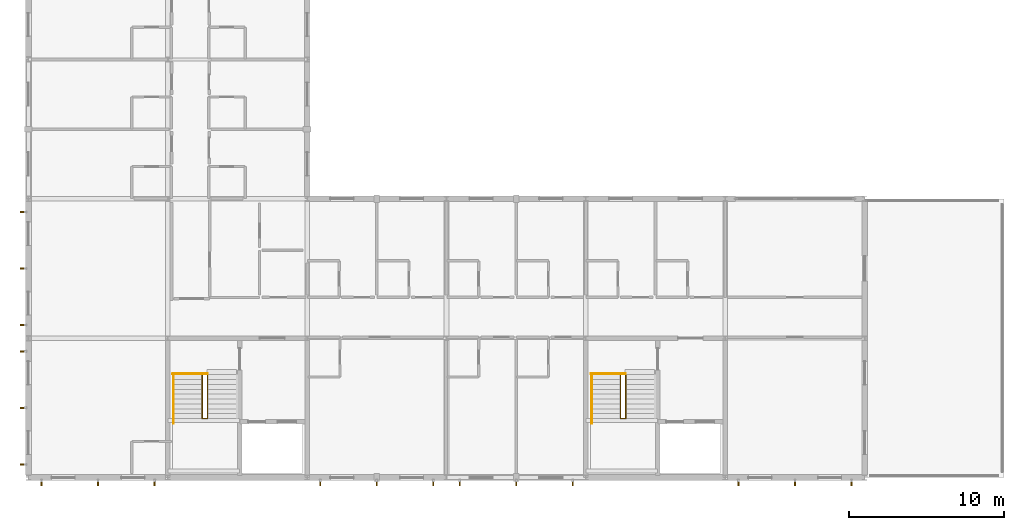
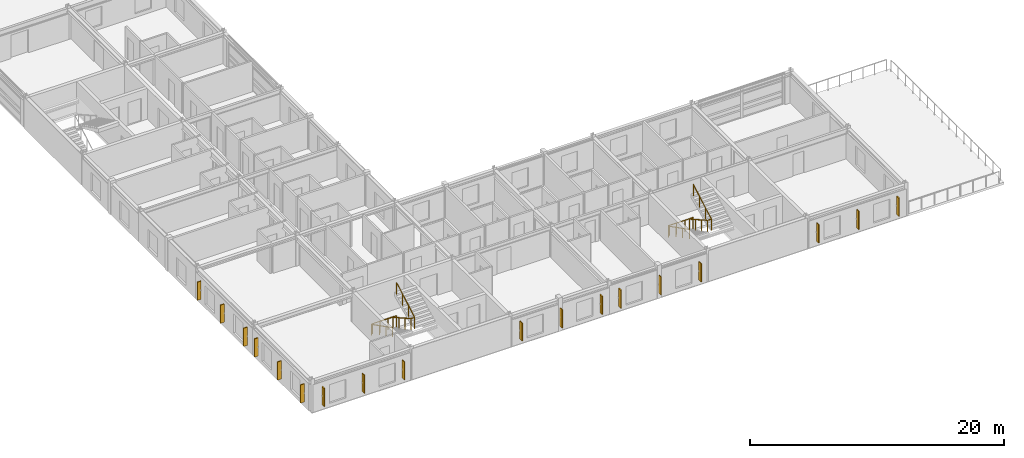
# One storey, part 17 of 18: 18 shading devices, 6 railings.
"""IFC4 building model written with IfcOpenShell, lengths in metres."""

from ifc_helpers import new_model, si_unit, direction, frame, origin, origin_2d, place, context, subcontext, project, spatial, rectangle, circle, extrude, material, type_object, element, save


model = new_model("IFC4")

# Units and contexts
model_context = context("Model", 3, precision=1e-05, world=origin(), true_north=direction((0.0, 1.0)))
body_context = subcontext(model_context, "Body", "Model", "MODEL_VIEW")
ifc_project = project(units=[si_unit("LENGTHUNIT", "METRE"), si_unit("AREAUNIT", "SQUARE_METRE"), si_unit("VOLUMEUNIT", "CUBIC_METRE"), si_unit("PLANEANGLEUNIT", "RADIAN"), si_unit("MASSUNIT", "GRAM", prefix="KILO")], contexts=[model_context])

# Site, building, storey
site_placement = place(None, origin())
site = spatial("IfcSite", under=ifc_project, at=site_placement, CompositionType="ELEMENT")
building_placement = place(site_placement, origin())
building = spatial("IfcBuilding", under=site, at=building_placement, Name="Palais des Congres Ocreval", CompositionType="ELEMENT")
storey_placement = place(building_placement, frame((0.0, 0.0, 23.679931640625)))
storey = spatial("IfcBuildingStorey", under=building, at=storey_placement, Name="L07", CompositionType="ELEMENT", Elevation=23.679931640625)

# Railings
ifc_material_1 = material(Name="Anodized bronze aluminium", Category="aluminium")
railing_type_1 = type_object("IfcRailingType", Name="Bronze Stair and Ramp Handrail 900", PredefinedType="HANDRAIL", material=ifc_material_1)
for number, where, name in (
    (1, (9.3798828125, 6.64990234375, 0.16015625), "Stair Wall Handrail ST01 L07"),
    (2, (36.3798828125, 6.64990234375, 0.16015625), "Stair Wall Handrail ST02 L07"),
):
    element("IfcRailing", number, at=place(storey_placement, frame(where)), inside=storey, type_object=railing_type_1, Name=name, PredefinedType="HANDRAIL", context=body_context, shape_type="SweptSolid", body=[
        extrude(circle(Radius=0.02392578125, at=origin_2d()), frame((0.0, 0.0, 0.8759765625), z_axis=(0.0, -0.891589940093, 0.452843658148), x_axis=(1.0, 0.0, 0.0)), (0.0, 0.0, 1.0), 3.532958984375),
        extrude(circle(Radius=0.02099609375, at=origin_2d()), origin(), (0.0, 0.0, 1.0), 0.851806640625),
        extrude(circle(Radius=0.02099609375, at=origin_2d()), frame((0.0, -1.050048828125, 0.533203125)), (0.0, 0.0, 1.0), 0.851806640625),
        extrude(circle(Radius=0.02099609375, at=origin_2d()), frame((0.0, -2.099853515625, 1.066650390625)), (0.0, 0.0, 1.0), 0.851806640625),
        extrude(circle(Radius=0.02099609375, at=origin_2d()), frame((0.0, -3.14990234375, 1.599853515625)), (0.0, 0.0, 1.0), 0.851806640625),
    ])
ifc_material_2 = material(Name="Steel S355", Category="steel")
railing_type_2 = type_object("IfcRailingType", Name="Stairwell Steel Guardrail 1100", PredefinedType="GUARDRAIL", material=ifc_material_2)
railing_1_placement = place(storey_placement, frame((9.320068359375, 6.699951171875, 0.0)))
element("IfcRailing", 3, at=railing_1_placement, inside=storey, type_object=railing_type_2, Name="Stairwell Landing Edge Guard ST01 L07", PredefinedType="GUARDRAIL", context=body_context, shape_type="SweptSolid", body=[
    extrude(circle(Radius=0.02392578125, at=origin_2d()), frame((0.0, 0.0, 1.076171875), z_axis=(1.0, 0.0, 0.0), x_axis=(0.0, 1.0, 0.0)), (0.0, 0.0, 1.0), 2.25),
    extrude(circle(Radius=0.02099609375, at=origin_2d()), origin(), (0.0, 0.0, 1.0), 1.052001953125),
    extrude(circle(Radius=0.02099609375, at=origin_2d()), frame((0.75, 0.0, 0.0)), (0.0, 0.0, 1.0), 1.052001953125),
    extrude(circle(Radius=0.02099609375, at=origin_2d()), frame((1.5, 0.0, 0.0)), (0.0, 0.0, 1.0), 1.052001953125),
    extrude(circle(Radius=0.02099609375, at=origin_2d()), frame((2.25, 0.0, 0.0)), (0.0, 0.0, 1.0), 1.052001953125),
])
railing_2_placement = place(storey_placement, frame((11.22998046875, 6.64990234375, 0.0)))
element("IfcRailing", 4, at=railing_2_placement, inside=storey, type_object=railing_type_2, Name="Stair Inner Guardrail ST01 L07", PredefinedType="GUARDRAIL", context=body_context, shape_type="SweptSolid", body=[
    extrude(circle(Radius=0.02392578125, at=origin_2d()), frame((0.0, 0.0, 1.076171875), z_axis=(0.0, -0.870861590408, 0.491528321007), x_axis=(1.0, 0.0, 0.0)), (0.0, 0.0, 1.0), 3.25537109375),
    extrude(circle(Radius=0.02392578125, at=origin_2d()), frame((0.0, -2.8349609375, 2.67626953125), z_axis=(1.0, 0.0, 0.0), x_axis=(0.0, 1.0, 0.0)), (0.0, 0.0, 1.0), 0.340087890625),
    extrude(circle(Radius=0.02392578125, at=origin_2d()), frame((0.340087890625, -2.8349609375, 2.67626953125), z_axis=(0.0, 0.870893692303, 0.491471440377), x_axis=(-1.0, 0.0, 0.0)), (0.0, 0.0, 1.0), 3.255126953125),
    extrude(circle(Radius=0.02099609375, at=origin_2d()), origin(), (0.0, 0.0, 1.0), 1.052001953125),
    extrude(circle(Radius=0.02099609375, at=origin_2d()), frame((0.0, -0.945068359375, 0.533447265625)), (0.0, 0.0, 1.0), 1.052001953125),
    extrude(circle(Radius=0.02099609375, at=origin_2d()), frame((0.0, -1.889892578125, 1.066650390625)), (0.0, 0.0, 1.0), 1.052001953125),
    extrude(circle(Radius=0.02099609375, at=origin_2d()), frame((0.0, -2.8349609375, 1.60009765625)), (0.0, 0.0, 1.0), 1.052001953125),
    extrude(circle(Radius=0.02099609375, at=origin_2d()), frame((0.340087890625, -2.8349609375, 1.60009765625)), (0.0, 0.0, 1.0), 1.052001953125),
    extrude(circle(Radius=0.02099609375, at=origin_2d()), frame((0.340087890625, -1.889892578125, 2.13330078125)), (0.0, 0.0, 1.0), 1.052001953125),
    extrude(circle(Radius=0.02099609375, at=origin_2d()), frame((0.340087890625, -0.945068359375, 2.666748046875)), (0.0, 0.0, 1.0), 1.052001953125),
    extrude(circle(Radius=0.02099609375, at=origin_2d()), frame((0.340087890625, 0.0, 3.199951171875)), (0.0, 0.0, 1.0), 1.052001953125),
])
railing_3_placement = place(storey_placement, frame((36.320068359375, 6.699951171875, 0.0)))
element("IfcRailing", 5, at=railing_3_placement, inside=storey, type_object=railing_type_2, Name="Stairwell Landing Edge Guard ST02 L07", PredefinedType="GUARDRAIL", context=body_context, shape_type="SweptSolid", body=[
    extrude(circle(Radius=0.02392578125, at=origin_2d()), frame((0.0, 0.0, 1.076171875), z_axis=(1.0, 0.0, 0.0), x_axis=(0.0, 1.0, 0.0)), (0.0, 0.0, 1.0), 2.25),
    extrude(circle(Radius=0.02099609375, at=origin_2d()), origin(), (0.0, 0.0, 1.0), 1.052001953125),
    extrude(circle(Radius=0.02099609375, at=origin_2d()), frame((0.75, 0.0, 0.0)), (0.0, 0.0, 1.0), 1.052001953125),
    extrude(circle(Radius=0.02099609375, at=origin_2d()), frame((1.5, 0.0, 0.0)), (0.0, 0.0, 1.0), 1.052001953125),
    extrude(circle(Radius=0.02099609375, at=origin_2d()), frame((2.25, 0.0, 0.0)), (0.0, 0.0, 1.0), 1.052001953125),
])
railing_4_placement = place(storey_placement, frame((38.22998046875, 6.64990234375, 0.0)))
element("IfcRailing", 6, at=railing_4_placement, inside=storey, type_object=railing_type_2, Name="Stair Inner Guardrail ST02 L07", PredefinedType="GUARDRAIL", context=body_context, shape_type="SweptSolid", body=[
    extrude(circle(Radius=0.02392578125, at=origin_2d()), frame((0.0, 0.0, 1.076171875), z_axis=(0.0, -0.870861590408, 0.491528321007), x_axis=(1.0, 0.0, 0.0)), (0.0, 0.0, 1.0), 3.25537109375),
    extrude(circle(Radius=0.02392578125, at=origin_2d()), frame((0.0, -2.8349609375, 2.67626953125), z_axis=(1.0, 0.0, 0.0), x_axis=(0.0, 1.0, 0.0)), (0.0, 0.0, 1.0), 0.340087890625),
    extrude(circle(Radius=0.02392578125, at=origin_2d()), frame((0.340087890625, -2.8349609375, 2.67626953125), z_axis=(0.0, 0.870893692303, 0.491471440377), x_axis=(-1.0, 0.0, 0.0)), (0.0, 0.0, 1.0), 3.255126953125),
    extrude(circle(Radius=0.02099609375, at=origin_2d()), origin(), (0.0, 0.0, 1.0), 1.052001953125),
    extrude(circle(Radius=0.02099609375, at=origin_2d()), frame((0.0, -0.945068359375, 0.533447265625)), (0.0, 0.0, 1.0), 1.052001953125),
    extrude(circle(Radius=0.02099609375, at=origin_2d()), frame((0.0, -1.889892578125, 1.066650390625)), (0.0, 0.0, 1.0), 1.052001953125),
    extrude(circle(Radius=0.02099609375, at=origin_2d()), frame((0.0, -2.8349609375, 1.60009765625)), (0.0, 0.0, 1.0), 1.052001953125),
    extrude(circle(Radius=0.02099609375, at=origin_2d()), frame((0.340087890625, -2.8349609375, 1.60009765625)), (0.0, 0.0, 1.0), 1.052001953125),
    extrude(circle(Radius=0.02099609375, at=origin_2d()), frame((0.340087890625, -1.889892578125, 2.13330078125)), (0.0, 0.0, 1.0), 1.052001953125),
    extrude(circle(Radius=0.02099609375, at=origin_2d()), frame((0.340087890625, -0.945068359375, 2.666748046875)), (0.0, 0.0, 1.0), 1.052001953125),
    extrude(circle(Radius=0.02099609375, at=origin_2d()), frame((0.340087890625, 0.0, 3.199951171875)), (0.0, 0.0, 1.0), 1.052001953125),
])

# Shading devices
ifc_material_3 = material(Name="Terracotta ceramic", Category="masonry")
shading_device_type = type_object("IfcShadingDeviceType", Name="Terracotta Ceramic Brise-Soleil Fin 360", PredefinedType="JALOUSIE", material=ifc_material_3)
for number, where, z_axis, x_axis, name in (
    (7, (53.14990234375, -0.360107421875, 0.47509765625), (0.0, 0.0, 1.0), (0.0, -1.0, 0.0), "Ceramic Celosia Sun-Fin SD01"),
    (8, (49.5, -0.360107421875, 0.47509765625), (0.0, 0.0, 1.0), (0.0, -1.0, 0.0), "Ceramic Celosia Sun-Fin SD01"),
    (9, (45.85009765625, -0.360107421875, 0.47509765625), (0.0, 0.0, 1.0), (0.0, -1.0, 0.0), "Ceramic Celosia Sun-Fin SD01"),
    (10, (35.14990234375, -0.360107421875, 0.47509765625), (0.0, 0.0, 1.0), (0.0, -1.0, 0.0), "Ceramic Celosia Sun-Fin SD01"),
    (11, (31.5, -0.360107421875, 0.47509765625), (0.0, 0.0, 1.0), (0.0, -1.0, 0.0), "Ceramic Celosia Sun-Fin SD01"),
    (12, (27.85009765625, -0.360107421875, 0.47509765625), (0.0, 0.0, 1.0), (0.0, -1.0, 0.0), "Ceramic Celosia Sun-Fin SD01"),
    (13, (26.14990234375, -0.360107421875, 0.47509765625), (0.0, 0.0, 1.0), (0.0, -1.0, 0.0), "Ceramic Celosia Sun-Fin SD01"),
    (14, (22.5, -0.360107421875, 0.47509765625), (0.0, 0.0, 1.0), (0.0, -1.0, 0.0), "Ceramic Celosia Sun-Fin SD01"),
    (15, (18.85009765625, -0.360107421875, 0.47509765625), (0.0, 0.0, 1.0), (0.0, -1.0, 0.0), "Ceramic Celosia Sun-Fin SD01"),
    (16, (8.14990234375, -0.360107421875, 0.47509765625), (0.0, 0.0, 1.0), (0.0, -1.0, 0.0), "Ceramic Celosia Sun-Fin SD01"),
    (17, (4.5, -0.360107421875, 0.47509765625), (0.0, 0.0, 1.0), (0.0, -1.0, 0.0), "Ceramic Celosia Sun-Fin SD01"),
    (18, (0.85009765625, -0.360107421875, 0.47509765625), (0.0, 0.0, 1.0), (0.0, -1.0, 0.0), "Ceramic Celosia Sun-Fin SD01"),
    (19, (-0.360107421875, 0.85009765625, 0.47509765625), (0.0, 0.0, 1.0), (-1.0, 0.0, 0.0), "Ceramic Celosia Sun-Fin SD01"),
    (20, (-0.360107421875, 4.5, 0.47509765625), (0.0, 0.0, 1.0), (-1.0, 0.0, 0.0), "Ceramic Celosia Sun-Fin SD01"),
    (21, (-0.360107421875, 8.14990234375, 0.47509765625), (0.0, 0.0, 1.0), (-1.0, 0.0, 0.0), "Ceramic Celosia Sun-Fin SD01"),
    (22, (-0.360107421875, 9.85009765625, 0.47509765625), (0.0, 0.0, 1.0), (-1.0, 0.0, 0.0), "Ceramic Celosia Sun-Fin SD01"),
    (23, (-0.360107421875, 13.5, 0.47509765625), (0.0, 0.0, 1.0), (-1.0, 0.0, 0.0), "Ceramic Celosia Sun-Fin SD01"),
    (24, (-0.360107421875, 17.14990234375, 0.47509765625), (0.0, 0.0, 1.0), (-1.0, 0.0, 0.0), "Ceramic Celosia Sun-Fin SD01"),
):
    element("IfcShadingDevice", number, at=place(storey_placement, frame(where, z_axis=z_axis, x_axis=x_axis)), inside=storey, type_object=shading_device_type, Name=name, PredefinedType="JALOUSIE", context=body_context, shape_type="SweptSolid", body=[
        extrude(rectangle(XDim=0.360107421875, YDim=0.080078125, at=origin_2d()), origin(), (0.0, 0.0, 1.0), 1.75),
    ])

save(model, "model.ifc")
